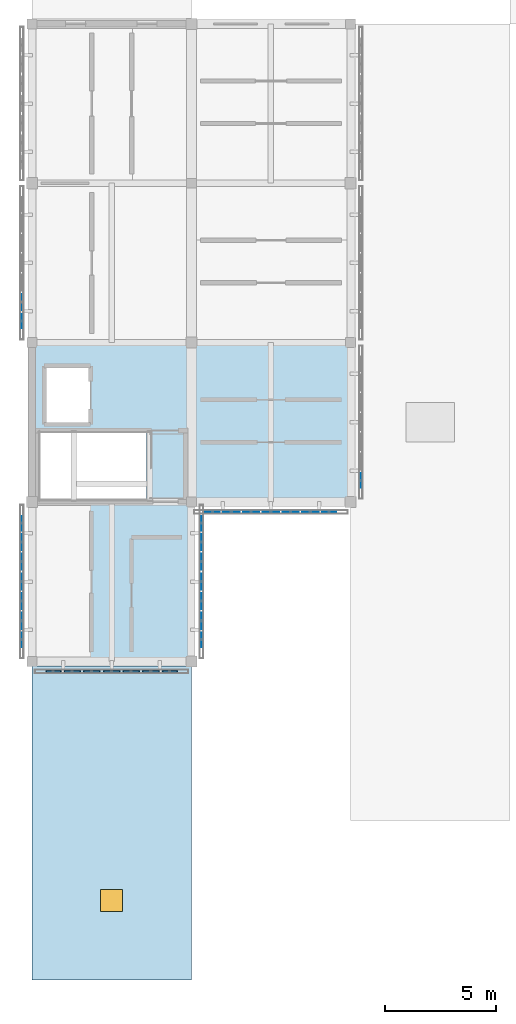
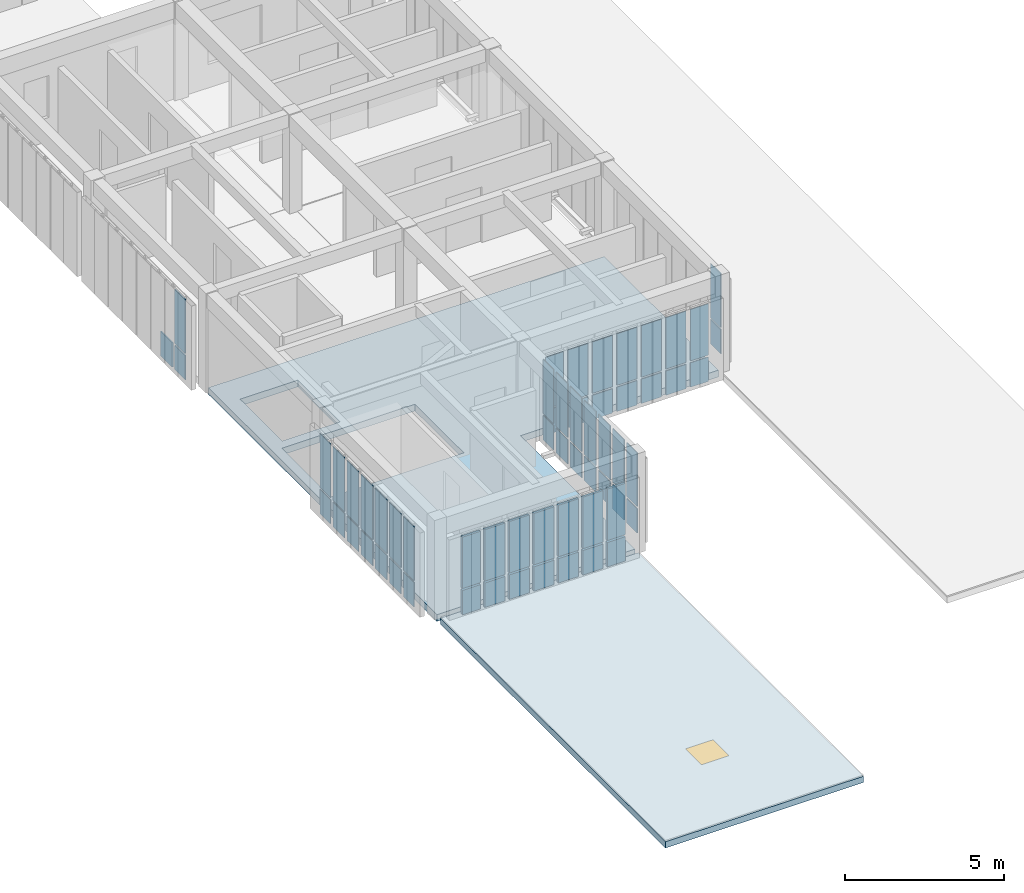
# One storey, part 35 of 67: 61 plates, 2 slabs, 1 door, 1 opening, 6 elements without a shape of their own.
"""IFC4 building model written with IfcOpenShell, lengths in metres."""

from ifc_helpers import new_model, si_unit, direction, frame, origin, origin_2d, place, context, subcontext, project, spatial, polyline, rectangle, outline, extrude, material, layer, layer_set, type_object, element, fill, aggregate, save


model = new_model("IFC4")

# Units and contexts
model_context = context("Model", 3, precision=1e-05, world=origin(), true_north=direction((0.0, 1.0)))
body_context = subcontext(model_context, "Body", "Model", "MODEL_VIEW")
ifc_project = project(units=[si_unit("LENGTHUNIT", "METRE"), si_unit("AREAUNIT", "SQUARE_METRE"), si_unit("VOLUMEUNIT", "CUBIC_METRE"), si_unit("PLANEANGLEUNIT", "RADIAN"), si_unit("MASSUNIT", "GRAM", prefix="KILO")], contexts=[model_context])

# Site, building, storey
site_placement = place(None, origin())
site = spatial("IfcSite", under=ifc_project, at=site_placement, CompositionType="ELEMENT")
building_placement = place(site_placement, origin())
building = spatial("IfcBuilding", under=site, at=building_placement, Name="Aldebral Square Health Centre", CompositionType="ELEMENT")
storey_placement = place(building_placement, frame((0.0, 0.0, 13.5)))
storey = spatial("IfcBuildingStorey", under=building, at=storey_placement, Name="L03", CompositionType="ELEMENT", Elevation=13.5)

# Curtain wall, plates
ifc_material_1 = material(Name="Aluminium and low-E solar glass", Category="aluminium")
curtain_wall_type = type_object("IfcCurtainWallType", Name="CW-FIN-SYS", PredefinedType="USERDEFINED", material=ifc_material_1)
curtain_wall_1_placement = place(storey_placement, origin())
curtain_wall_1 = element("IfcCurtainWall", 1, at=curtain_wall_1_placement, inside=storey, type_object=curtain_wall_type, Name="L03 V6 finned curtain wall L03-V6-00-03-W", ObjectType="SOLAR_CURTAIN_WALL", PredefinedType="USERDEFINED")
ifc_material_2 = material(Name="Solar-control low-E double glass", Category="glass")
ifc_layer_1 = layer(ifc_material_2, 0.02001953125, Name="Solar-control low-E double glass", Category="glass")
ifc_layer_set_1 = layer_set([ifc_layer_1], Name="Solar-control low-E double glass")
plate_type_1 = type_object("IfcPlateType", Name="CWP-GLZ-1", PredefinedType="CURTAIN_PANEL", material=ifc_layer_set_1)
plate_1_placement = place(storey_placement, frame((-0.4599609375, 27.834228515625, 0.074951171875), z_axis=(0.0, 0.0, 1.0), x_axis=(0.0, -1.0, 0.0)))
plate_1 = element("IfcPlate", 2, at=plate_1_placement, type_object=plate_type_1, Name="CW1 panel 1.1", PredefinedType="CURTAIN_PANEL", context=body_context, shape_type="SweptSolid", body=[
    extrude(rectangle(XDim=0.6513671875, YDim=0.02001953125, at=origin_2d()), origin(), (0.0, 0.0, 1.0), 0.9375),
])
plate_2_placement = place(storey_placement, frame((-0.4599609375, 27.834228515625, 1.08740234375), z_axis=(0.0, 0.0, 1.0), x_axis=(0.0, -1.0, 0.0)))
plate_2 = element("IfcPlate", 3, at=plate_2_placement, type_object=plate_type_1, Name="CW1 panel 1.2", PredefinedType="CURTAIN_PANEL", context=body_context, shape_type="SweptSolid", body=[
    extrude(rectangle(XDim=0.6513671875, YDim=0.02001953125, at=origin_2d()), origin(), (0.0, 0.0, 1.0), 2.077392578125),
])
plate_3_placement = place(storey_placement, frame((-0.4599609375, 26.98291015625, 0.074951171875), z_axis=(0.0, 0.0, 1.0), x_axis=(0.0, -1.0, 0.0)))
plate_3 = element("IfcPlate", 4, at=plate_3_placement, type_object=plate_type_1, Name="CW1 panel 2.1", PredefinedType="CURTAIN_PANEL", context=body_context, shape_type="SweptSolid", body=[
    extrude(rectangle(XDim=0.7314453125, YDim=0.02001953125, at=origin_2d()), origin(), (0.0, 0.0, 1.0), 0.9375),
])
plate_4_placement = place(storey_placement, frame((-0.4599609375, 26.98291015625, 1.08740234375), z_axis=(0.0, 0.0, 1.0), x_axis=(0.0, -1.0, 0.0)))
plate_4 = element("IfcPlate", 5, at=plate_4_placement, type_object=plate_type_1, Name="CW1 panel 2.2", PredefinedType="CURTAIN_PANEL", context=body_context, shape_type="SweptSolid", body=[
    extrude(rectangle(XDim=0.7314453125, YDim=0.02001953125, at=origin_2d()), origin(), (0.0, 0.0, 1.0), 2.077392578125),
])
plate_5_placement = place(storey_placement, frame((-0.4599609375, 26.09130859375, 0.074951171875), z_axis=(0.0, 0.0, 1.0), x_axis=(0.0, -1.0, 0.0)))
plate_5 = element("IfcPlate", 6, at=plate_5_placement, type_object=plate_type_1, Name="CW1 panel 3.1", PredefinedType="CURTAIN_PANEL", context=body_context, shape_type="SweptSolid", body=[
    extrude(rectangle(XDim=0.7314453125, YDim=0.02001953125, at=origin_2d()), origin(), (0.0, 0.0, 1.0), 0.9375),
])
plate_6_placement = place(storey_placement, frame((-0.4599609375, 26.09130859375, 1.08740234375), z_axis=(0.0, 0.0, 1.0), x_axis=(0.0, -1.0, 0.0)))
plate_6 = element("IfcPlate", 7, at=plate_6_placement, type_object=plate_type_1, Name="CW1 panel 3.2", PredefinedType="CURTAIN_PANEL", context=body_context, shape_type="SweptSolid", body=[
    extrude(rectangle(XDim=0.7314453125, YDim=0.02001953125, at=origin_2d()), origin(), (0.0, 0.0, 1.0), 2.077392578125),
])
plate_7_placement = place(storey_placement, frame((-0.4599609375, 25.199951171875, 0.074951171875), z_axis=(0.0, 0.0, 1.0), x_axis=(0.0, -1.0, 0.0)))
plate_7 = element("IfcPlate", 8, at=plate_7_placement, type_object=plate_type_1, Name="CW1 panel 4.1", PredefinedType="CURTAIN_PANEL", context=body_context, shape_type="SweptSolid", body=[
    extrude(rectangle(XDim=0.7314453125, YDim=0.02001953125, at=origin_2d()), origin(), (0.0, 0.0, 1.0), 0.9375),
])
plate_8_placement = place(storey_placement, frame((-0.4599609375, 25.199951171875, 1.08740234375), z_axis=(0.0, 0.0, 1.0), x_axis=(0.0, -1.0, 0.0)))
plate_8 = element("IfcPlate", 9, at=plate_8_placement, type_object=plate_type_1, Name="CW1 panel 4.2", PredefinedType="CURTAIN_PANEL", context=body_context, shape_type="SweptSolid", body=[
    extrude(rectangle(XDim=0.7314453125, YDim=0.02001953125, at=origin_2d()), origin(), (0.0, 0.0, 1.0), 2.077392578125),
])
plate_9_placement = place(storey_placement, frame((-0.4599609375, 24.30859375, 0.074951171875), z_axis=(0.0, 0.0, 1.0), x_axis=(0.0, -1.0, 0.0)))
plate_9 = element("IfcPlate", 10, at=plate_9_placement, type_object=plate_type_1, Name="CW1 panel 5.1", PredefinedType="CURTAIN_PANEL", context=body_context, shape_type="SweptSolid", body=[
    extrude(rectangle(XDim=0.7314453125, YDim=0.02001953125, at=origin_2d()), origin(), (0.0, 0.0, 1.0), 0.9375),
])
plate_10_placement = place(storey_placement, frame((-0.4599609375, 24.30859375, 1.08740234375), z_axis=(0.0, 0.0, 1.0), x_axis=(0.0, -1.0, 0.0)))
plate_10 = element("IfcPlate", 11, at=plate_10_placement, type_object=plate_type_1, Name="CW1 panel 5.2", PredefinedType="CURTAIN_PANEL", context=body_context, shape_type="SweptSolid", body=[
    extrude(rectangle(XDim=0.7314453125, YDim=0.02001953125, at=origin_2d()), origin(), (0.0, 0.0, 1.0), 2.077392578125),
])
plate_11_placement = place(storey_placement, frame((-0.4599609375, 23.417236328125, 0.074951171875), z_axis=(0.0, 0.0, 1.0), x_axis=(0.0, -1.0, 0.0)))
plate_11 = element("IfcPlate", 12, at=plate_11_placement, type_object=plate_type_1, Name="CW1 panel 6.1", PredefinedType="CURTAIN_PANEL", context=body_context, shape_type="SweptSolid", body=[
    extrude(rectangle(XDim=0.7314453125, YDim=0.02001953125, at=origin_2d()), origin(), (0.0, 0.0, 1.0), 0.9375),
])
plate_12_placement = place(storey_placement, frame((-0.4599609375, 23.417236328125, 1.08740234375), z_axis=(0.0, 0.0, 1.0), x_axis=(0.0, -1.0, 0.0)))
plate_12 = element("IfcPlate", 13, at=plate_12_placement, type_object=plate_type_1, Name="CW1 panel 6.2", PredefinedType="CURTAIN_PANEL", context=body_context, shape_type="SweptSolid", body=[
    extrude(rectangle(XDim=0.7314453125, YDim=0.02001953125, at=origin_2d()), origin(), (0.0, 0.0, 1.0), 2.077392578125),
])
plate_13_placement = place(storey_placement, frame((-0.4599609375, 22.565673828125, 0.074951171875), z_axis=(0.0, 0.0, 1.0), x_axis=(0.0, -1.0, 0.0)))
plate_13 = element("IfcPlate", 14, at=plate_13_placement, type_object=plate_type_1, Name="CW1 panel 7.1", PredefinedType="CURTAIN_PANEL", context=body_context, shape_type="SweptSolid", body=[
    extrude(rectangle(XDim=0.6513671875, YDim=0.02001953125, at=origin_2d()), origin(), (0.0, 0.0, 1.0), 0.9375),
])
plate_14_placement = place(storey_placement, frame((-0.4599609375, 22.565673828125, 1.08740234375), z_axis=(0.0, 0.0, 1.0), x_axis=(0.0, -1.0, 0.0)))
plate_14 = element("IfcPlate", 15, at=plate_14_placement, type_object=plate_type_1, Name="CW1 panel 7.2", PredefinedType="CURTAIN_PANEL", context=body_context, shape_type="SweptSolid", body=[
    extrude(rectangle(XDim=0.6513671875, YDim=0.02001953125, at=origin_2d()), origin(), (0.0, 0.0, 1.0), 2.077392578125),
])
aggregate(curtain_wall_1, [plate_1, plate_2, plate_3, plate_4, plate_5, plate_6, plate_7, plate_8, plate_9, plate_10, plate_11, plate_12, plate_13, plate_14])

curtain_wall_2_placement = place(storey_placement, origin())
curtain_wall_2 = element("IfcCurtainWall", 16, at=curtain_wall_2_placement, inside=storey, type_object=curtain_wall_type, Name="L03 V6 finned curtain wall L03-V6-01-04-S", ObjectType="SOLAR_CURTAIN_WALL", PredefinedType="USERDEFINED")
plate_15_placement = place(storey_placement, frame((8.165771484375, 28.340087890625, 0.074951171875), z_axis=(0.0, 0.0, 1.0), x_axis=(1.0, 0.0, 0.0)))
plate_15 = element("IfcPlate", 17, at=plate_15_placement, type_object=plate_type_1, Name="CW1 panel 1.1", PredefinedType="CURTAIN_PANEL", context=body_context, shape_type="SweptSolid", body=[
    extrude(rectangle(XDim=0.6513671875, YDim=0.02001953125, at=origin_2d()), origin(), (0.0, 0.0, 1.0), 0.9375),
])
plate_16_placement = place(storey_placement, frame((8.165771484375, 28.340087890625, 1.08740234375), z_axis=(0.0, 0.0, 1.0), x_axis=(1.0, 0.0, 0.0)))
plate_16 = element("IfcPlate", 18, at=plate_16_placement, type_object=plate_type_1, Name="CW1 panel 1.2", PredefinedType="CURTAIN_PANEL", context=body_context, shape_type="SweptSolid", body=[
    extrude(rectangle(XDim=0.6513671875, YDim=0.02001953125, at=origin_2d()), origin(), (0.0, 0.0, 1.0), 1.9775390625),
])
plate_17_placement = place(storey_placement, frame((9.01708984375, 28.340087890625, 0.074951171875), z_axis=(0.0, 0.0, 1.0), x_axis=(1.0, 0.0, 0.0)))
plate_17 = element("IfcPlate", 19, at=plate_17_placement, type_object=plate_type_1, Name="CW1 panel 2.1", PredefinedType="CURTAIN_PANEL", context=body_context, shape_type="SweptSolid", body=[
    extrude(rectangle(XDim=0.7314453125, YDim=0.02001953125, at=origin_2d()), origin(), (0.0, 0.0, 1.0), 0.9375),
])
plate_18_placement = place(storey_placement, frame((9.01708984375, 28.340087890625, 1.08740234375), z_axis=(0.0, 0.0, 1.0), x_axis=(1.0, 0.0, 0.0)))
plate_18 = element("IfcPlate", 20, at=plate_18_placement, type_object=plate_type_1, Name="CW1 panel 2.2", PredefinedType="CURTAIN_PANEL", context=body_context, shape_type="SweptSolid", body=[
    extrude(rectangle(XDim=0.7314453125, YDim=0.02001953125, at=origin_2d()), origin(), (0.0, 0.0, 1.0), 1.9775390625),
])
plate_19_placement = place(storey_placement, frame((9.90869140625, 28.340087890625, 0.074951171875), z_axis=(0.0, 0.0, 1.0), x_axis=(1.0, 0.0, 0.0)))
plate_19 = element("IfcPlate", 21, at=plate_19_placement, type_object=plate_type_1, Name="CW1 panel 3.1", PredefinedType="CURTAIN_PANEL", context=body_context, shape_type="SweptSolid", body=[
    extrude(rectangle(XDim=0.7314453125, YDim=0.02001953125, at=origin_2d()), origin(), (0.0, 0.0, 1.0), 0.9375),
])
plate_20_placement = place(storey_placement, frame((9.90869140625, 28.340087890625, 1.08740234375), z_axis=(0.0, 0.0, 1.0), x_axis=(1.0, 0.0, 0.0)))
plate_20 = element("IfcPlate", 22, at=plate_20_placement, type_object=plate_type_1, Name="CW1 panel 3.2", PredefinedType="CURTAIN_PANEL", context=body_context, shape_type="SweptSolid", body=[
    extrude(rectangle(XDim=0.7314453125, YDim=0.02001953125, at=origin_2d()), origin(), (0.0, 0.0, 1.0), 1.9775390625),
])
plate_21_placement = place(storey_placement, frame((10.800048828125, 28.340087890625, 0.074951171875), z_axis=(0.0, 0.0, 1.0), x_axis=(1.0, 0.0, 0.0)))
plate_21 = element("IfcPlate", 23, at=plate_21_placement, type_object=plate_type_1, Name="CW1 panel 4.1", PredefinedType="CURTAIN_PANEL", context=body_context, shape_type="SweptSolid", body=[
    extrude(rectangle(XDim=0.7314453125, YDim=0.02001953125, at=origin_2d()), origin(), (0.0, 0.0, 1.0), 0.9375),
])
plate_22_placement = place(storey_placement, frame((10.800048828125, 28.340087890625, 1.08740234375), z_axis=(0.0, 0.0, 1.0), x_axis=(1.0, 0.0, 0.0)))
plate_22 = element("IfcPlate", 24, at=plate_22_placement, type_object=plate_type_1, Name="CW1 panel 4.2", PredefinedType="CURTAIN_PANEL", context=body_context, shape_type="SweptSolid", body=[
    extrude(rectangle(XDim=0.7314453125, YDim=0.02001953125, at=origin_2d()), origin(), (0.0, 0.0, 1.0), 1.9775390625),
])
plate_23_placement = place(storey_placement, frame((11.69140625, 28.340087890625, 0.074951171875), z_axis=(0.0, 0.0, 1.0), x_axis=(1.0, 0.0, 0.0)))
plate_23 = element("IfcPlate", 25, at=plate_23_placement, type_object=plate_type_1, Name="CW1 panel 5.1", PredefinedType="CURTAIN_PANEL", context=body_context, shape_type="SweptSolid", body=[
    extrude(rectangle(XDim=0.7314453125, YDim=0.02001953125, at=origin_2d()), origin(), (0.0, 0.0, 1.0), 0.9375),
])
plate_24_placement = place(storey_placement, frame((11.69140625, 28.340087890625, 1.08740234375), z_axis=(0.0, 0.0, 1.0), x_axis=(1.0, 0.0, 0.0)))
plate_24 = element("IfcPlate", 26, at=plate_24_placement, type_object=plate_type_1, Name="CW1 panel 5.2", PredefinedType="CURTAIN_PANEL", context=body_context, shape_type="SweptSolid", body=[
    extrude(rectangle(XDim=0.7314453125, YDim=0.02001953125, at=origin_2d()), origin(), (0.0, 0.0, 1.0), 1.9775390625),
])
plate_25_placement = place(storey_placement, frame((12.582763671875, 28.340087890625, 0.074951171875), z_axis=(0.0, 0.0, 1.0), x_axis=(1.0, 0.0, 0.0)))
plate_25 = element("IfcPlate", 27, at=plate_25_placement, type_object=plate_type_1, Name="CW1 panel 6.1", PredefinedType="CURTAIN_PANEL", context=body_context, shape_type="SweptSolid", body=[
    extrude(rectangle(XDim=0.7314453125, YDim=0.02001953125, at=origin_2d()), origin(), (0.0, 0.0, 1.0), 0.9375),
])
plate_26_placement = place(storey_placement, frame((12.582763671875, 28.340087890625, 1.08740234375), z_axis=(0.0, 0.0, 1.0), x_axis=(1.0, 0.0, 0.0)))
plate_26 = element("IfcPlate", 28, at=plate_26_placement, type_object=plate_type_1, Name="CW1 panel 6.2", PredefinedType="CURTAIN_PANEL", context=body_context, shape_type="SweptSolid", body=[
    extrude(rectangle(XDim=0.7314453125, YDim=0.02001953125, at=origin_2d()), origin(), (0.0, 0.0, 1.0), 1.9775390625),
])
plate_27_placement = place(storey_placement, frame((13.434326171875, 28.340087890625, 0.074951171875), z_axis=(0.0, 0.0, 1.0), x_axis=(1.0, 0.0, 0.0)))
plate_27 = element("IfcPlate", 29, at=plate_27_placement, type_object=plate_type_1, Name="CW1 panel 7.1", PredefinedType="CURTAIN_PANEL", context=body_context, shape_type="SweptSolid", body=[
    extrude(rectangle(XDim=0.6513671875, YDim=0.02001953125, at=origin_2d()), origin(), (0.0, 0.0, 1.0), 0.9375),
])
plate_28_placement = place(storey_placement, frame((13.434326171875, 28.340087890625, 1.08740234375), z_axis=(0.0, 0.0, 1.0), x_axis=(1.0, 0.0, 0.0)))
plate_28 = element("IfcPlate", 30, at=plate_28_placement, type_object=plate_type_1, Name="CW1 panel 7.2", PredefinedType="CURTAIN_PANEL", context=body_context, shape_type="SweptSolid", body=[
    extrude(rectangle(XDim=0.6513671875, YDim=0.02001953125, at=origin_2d()), origin(), (0.0, 0.0, 1.0), 1.9775390625),
])
aggregate(curtain_wall_2, [plate_15, plate_16, plate_17, plate_18, plate_19, plate_20, plate_21, plate_22, plate_23, plate_24, plate_25, plate_26, plate_27, plate_28])

curtain_wall_3_placement = place(storey_placement, origin())
curtain_wall_3 = element("IfcCurtainWall", 31, at=curtain_wall_3_placement, inside=storey, type_object=curtain_wall_type, Name="L03 V6 finned curtain wall L03-V6-00-03-E", ObjectType="SOLAR_CURTAIN_WALL", PredefinedType="USERDEFINED")
ifc_layer_2 = layer(ifc_material_2, 0.030029296875, Name="Solar-control low-E double glass", Category="glass")
ifc_layer_set_2 = layer_set([ifc_layer_2], Name="Solar-control low-E double glass")
plate_type_2 = type_object("IfcPlateType", Name="CWP-GLZ-2", PredefinedType="CURTAIN_PANEL", material=ifc_layer_set_2)
plate_29_placement = place(storey_placement, frame((7.659912109375, 22.565673828125, 0.074951171875), z_axis=(0.0, 0.0, 1.0), x_axis=(0.0, 1.0, 0.0)))
plate_29 = element("IfcPlate", 32, at=plate_29_placement, type_object=plate_type_2, Name="CW1 panel 1.1", PredefinedType="CURTAIN_PANEL", context=body_context, shape_type="SweptSolid", body=[
    extrude(rectangle(XDim=0.6513671875, YDim=0.030029296875, at=origin_2d()), origin(), (0.0, 0.0, 1.0), 0.9375),
])
plate_30_placement = place(storey_placement, frame((7.659912109375, 22.565673828125, 1.08740234375), z_axis=(0.0, 0.0, 1.0), x_axis=(0.0, 1.0, 0.0)))
plate_30 = element("IfcPlate", 33, at=plate_30_placement, type_object=plate_type_2, Name="CW1 panel 1.2", PredefinedType="CURTAIN_PANEL", context=body_context, shape_type="SweptSolid", body=[
    extrude(rectangle(XDim=0.6513671875, YDim=0.030029296875, at=origin_2d()), origin(), (0.0, 0.0, 1.0), 2.077392578125),
])
plate_31_placement = place(storey_placement, frame((7.659912109375, 23.417236328125, 0.074951171875), z_axis=(0.0, 0.0, 1.0), x_axis=(0.0, 1.0, 0.0)))
plate_31 = element("IfcPlate", 34, at=plate_31_placement, type_object=plate_type_2, Name="CW1 panel 2.1", PredefinedType="CURTAIN_PANEL", context=body_context, shape_type="SweptSolid", body=[
    extrude(rectangle(XDim=0.7314453125, YDim=0.030029296875, at=origin_2d()), origin(), (0.0, 0.0, 1.0), 0.9375),
])
plate_32_placement = place(storey_placement, frame((7.659912109375, 23.417236328125, 1.08740234375), z_axis=(0.0, 0.0, 1.0), x_axis=(0.0, 1.0, 0.0)))
plate_32 = element("IfcPlate", 35, at=plate_32_placement, type_object=plate_type_2, Name="CW1 panel 2.2", PredefinedType="CURTAIN_PANEL", context=body_context, shape_type="SweptSolid", body=[
    extrude(rectangle(XDim=0.7314453125, YDim=0.030029296875, at=origin_2d()), origin(), (0.0, 0.0, 1.0), 2.077392578125),
])
plate_33_placement = place(storey_placement, frame((7.659912109375, 24.30859375, 0.074951171875), z_axis=(0.0, 0.0, 1.0), x_axis=(0.0, 1.0, 0.0)))
plate_33 = element("IfcPlate", 36, at=plate_33_placement, type_object=plate_type_2, Name="CW1 panel 3.1", PredefinedType="CURTAIN_PANEL", context=body_context, shape_type="SweptSolid", body=[
    extrude(rectangle(XDim=0.7314453125, YDim=0.030029296875, at=origin_2d()), origin(), (0.0, 0.0, 1.0), 0.9375),
])
plate_34_placement = place(storey_placement, frame((7.659912109375, 24.30859375, 1.08740234375), z_axis=(0.0, 0.0, 1.0), x_axis=(0.0, 1.0, 0.0)))
plate_34 = element("IfcPlate", 37, at=plate_34_placement, type_object=plate_type_2, Name="CW1 panel 3.2", PredefinedType="CURTAIN_PANEL", context=body_context, shape_type="SweptSolid", body=[
    extrude(rectangle(XDim=0.7314453125, YDim=0.030029296875, at=origin_2d()), origin(), (0.0, 0.0, 1.0), 2.077392578125),
])
plate_35_placement = place(storey_placement, frame((7.659912109375, 25.199951171875, 0.074951171875), z_axis=(0.0, 0.0, 1.0), x_axis=(0.0, 1.0, 0.0)))
plate_35 = element("IfcPlate", 38, at=plate_35_placement, type_object=plate_type_2, Name="CW1 panel 4.1", PredefinedType="CURTAIN_PANEL", context=body_context, shape_type="SweptSolid", body=[
    extrude(rectangle(XDim=0.7314453125, YDim=0.030029296875, at=origin_2d()), origin(), (0.0, 0.0, 1.0), 0.9375),
])
plate_36_placement = place(storey_placement, frame((7.659912109375, 25.199951171875, 1.08740234375), z_axis=(0.0, 0.0, 1.0), x_axis=(0.0, 1.0, 0.0)))
plate_36 = element("IfcPlate", 39, at=plate_36_placement, type_object=plate_type_2, Name="CW1 panel 4.2", PredefinedType="CURTAIN_PANEL", context=body_context, shape_type="SweptSolid", body=[
    extrude(rectangle(XDim=0.7314453125, YDim=0.030029296875, at=origin_2d()), origin(), (0.0, 0.0, 1.0), 2.077392578125),
])
plate_37_placement = place(storey_placement, frame((7.659912109375, 26.09130859375, 0.074951171875), z_axis=(0.0, 0.0, 1.0), x_axis=(0.0, 1.0, 0.0)))
plate_37 = element("IfcPlate", 40, at=plate_37_placement, type_object=plate_type_2, Name="CW1 panel 5.1", PredefinedType="CURTAIN_PANEL", context=body_context, shape_type="SweptSolid", body=[
    extrude(rectangle(XDim=0.7314453125, YDim=0.030029296875, at=origin_2d()), origin(), (0.0, 0.0, 1.0), 0.9375),
])
plate_38_placement = place(storey_placement, frame((7.659912109375, 26.09130859375, 1.08740234375), z_axis=(0.0, 0.0, 1.0), x_axis=(0.0, 1.0, 0.0)))
plate_38 = element("IfcPlate", 41, at=plate_38_placement, type_object=plate_type_2, Name="CW1 panel 5.2", PredefinedType="CURTAIN_PANEL", context=body_context, shape_type="SweptSolid", body=[
    extrude(rectangle(XDim=0.7314453125, YDim=0.030029296875, at=origin_2d()), origin(), (0.0, 0.0, 1.0), 2.077392578125),
])
plate_39_placement = place(storey_placement, frame((7.659912109375, 26.98291015625, 0.074951171875), z_axis=(0.0, 0.0, 1.0), x_axis=(0.0, 1.0, 0.0)))
plate_39 = element("IfcPlate", 42, at=plate_39_placement, type_object=plate_type_2, Name="CW1 panel 6.1", PredefinedType="CURTAIN_PANEL", context=body_context, shape_type="SweptSolid", body=[
    extrude(rectangle(XDim=0.7314453125, YDim=0.030029296875, at=origin_2d()), origin(), (0.0, 0.0, 1.0), 0.9375),
])
plate_40_placement = place(storey_placement, frame((7.659912109375, 26.98291015625, 1.08740234375), z_axis=(0.0, 0.0, 1.0), x_axis=(0.0, 1.0, 0.0)))
plate_40 = element("IfcPlate", 43, at=plate_40_placement, type_object=plate_type_2, Name="CW1 panel 6.2", PredefinedType="CURTAIN_PANEL", context=body_context, shape_type="SweptSolid", body=[
    extrude(rectangle(XDim=0.7314453125, YDim=0.030029296875, at=origin_2d()), origin(), (0.0, 0.0, 1.0), 2.077392578125),
])
plate_41_placement = place(storey_placement, frame((7.659912109375, 27.834228515625, 0.074951171875), z_axis=(0.0, 0.0, 1.0), x_axis=(0.0, 1.0, 0.0)))
plate_41 = element("IfcPlate", 44, at=plate_41_placement, type_object=plate_type_2, Name="CW1 panel 7.1", PredefinedType="CURTAIN_PANEL", context=body_context, shape_type="SweptSolid", body=[
    extrude(rectangle(XDim=0.6513671875, YDim=0.030029296875, at=origin_2d()), origin(), (0.0, 0.0, 1.0), 0.9375),
])
plate_42_placement = place(storey_placement, frame((7.659912109375, 27.834228515625, 1.08740234375), z_axis=(0.0, 0.0, 1.0), x_axis=(0.0, 1.0, 0.0)))
plate_42 = element("IfcPlate", 45, at=plate_42_placement, type_object=plate_type_2, Name="CW1 panel 7.2", PredefinedType="CURTAIN_PANEL", context=body_context, shape_type="SweptSolid", body=[
    extrude(rectangle(XDim=0.6513671875, YDim=0.030029296875, at=origin_2d()), origin(), (0.0, 0.0, 1.0), 2.077392578125),
])
aggregate(curtain_wall_3, [plate_29, plate_30, plate_31, plate_32, plate_33, plate_34, plate_35, plate_36, plate_37, plate_38, plate_39, plate_40, plate_41, plate_42])

curtain_wall_4_placement = place(storey_placement, origin())
curtain_wall_4 = element("IfcCurtainWall", 46, at=curtain_wall_4_placement, inside=storey, type_object=curtain_wall_type, Name="L03 V6 finned curtain wall L03-V6-01-04-E", ObjectType="SOLAR_CURTAIN_WALL", PredefinedType="USERDEFINED")
plate_43_placement = place(storey_placement, frame((14.860107421875, 29.765625, 0.074951171875), z_axis=(0.0, 0.0, 1.0), x_axis=(0.0, 1.0, 0.0)))
plate_43 = element("IfcPlate", 47, at=plate_43_placement, type_object=plate_type_2, Name="CW1 panel 1.1", PredefinedType="CURTAIN_PANEL", context=body_context, shape_type="SweptSolid", body=[
    extrude(rectangle(XDim=0.6513671875, YDim=0.030029296875, at=origin_2d()), origin(), (0.0, 0.0, 1.0), 0.9375),
])
plate_44_placement = place(storey_placement, frame((14.860107421875, 29.765625, 1.08740234375), z_axis=(0.0, 0.0, 1.0), x_axis=(0.0, 1.0, 0.0)))
plate_44 = element("IfcPlate", 48, at=plate_44_placement, type_object=plate_type_2, Name="CW1 panel 1.2", PredefinedType="CURTAIN_PANEL", context=body_context, shape_type="SweptSolid", body=[
    extrude(rectangle(XDim=0.6513671875, YDim=0.030029296875, at=origin_2d()), origin(), (0.0, 0.0, 1.0), 2.077392578125),
])
aggregate(curtain_wall_4, [plate_43, plate_44])

curtain_wall_5_placement = place(storey_placement, origin())
curtain_wall_5 = element("IfcCurtainWall", 49, at=curtain_wall_5_placement, inside=storey, type_object=curtain_wall_type, Name="L03 V6 finned curtain wall L03-V6-00-05-W", ObjectType="SOLAR_CURTAIN_WALL", PredefinedType="USERDEFINED")
ifc_layer_3 = layer(ifc_material_2, 0.0400390625, Name="Solar-control low-E double glass", Category="glass")
ifc_layer_set_3 = layer_set([ifc_layer_3], Name="Solar-control low-E double glass")
plate_type_3 = type_object("IfcPlateType", Name="CWP-GLZ-3", PredefinedType="CURTAIN_PANEL", material=ifc_layer_set_3)
plate_45_placement = place(storey_placement, frame((-0.4599609375, 37.817138671875, 0.074951171875), z_axis=(0.0, 0.0, 1.0), x_axis=(0.0, -1.0, 0.0)))
plate_45 = element("IfcPlate", 50, at=plate_45_placement, type_object=plate_type_3, Name="CW1 panel 6.1", PredefinedType="CURTAIN_PANEL", context=body_context, shape_type="SweptSolid", body=[
    extrude(rectangle(XDim=0.7314453125, YDim=0.0400390625, at=origin_2d()), origin(), (0.0, 0.0, 1.0), 0.9375),
])
plate_46_placement = place(storey_placement, frame((-0.4599609375, 36.9658203125, 0.074951171875), z_axis=(0.0, 0.0, 1.0), x_axis=(0.0, -1.0, 0.0)))
plate_46 = element("IfcPlate", 51, at=plate_46_placement, type_object=plate_type_3, Name="CW1 panel 7.1", PredefinedType="CURTAIN_PANEL", context=body_context, shape_type="SweptSolid", body=[
    extrude(rectangle(XDim=0.6513671875, YDim=0.0400390625, at=origin_2d()), origin(), (0.0, 0.0, 1.0), 0.9375),
])
plate_47_placement = place(storey_placement, frame((-0.4599609375, 36.9658203125, 1.08740234375), z_axis=(0.0, 0.0, 1.0), x_axis=(0.0, -1.0, 0.0)))
plate_47 = element("IfcPlate", 52, at=plate_47_placement, type_object=plate_type_3, Name="CW1 panel 7.2", PredefinedType="CURTAIN_PANEL", context=body_context, shape_type="SweptSolid", body=[
    extrude(rectangle(XDim=0.6513671875, YDim=0.0400390625, at=origin_2d()), origin(), (0.0, 0.0, 1.0), 2.077392578125),
])
aggregate(curtain_wall_5, [plate_45, plate_46, plate_47])

curtain_wall_6_placement = place(storey_placement, origin())
curtain_wall_6 = element("IfcCurtainWall", 53, at=curtain_wall_6_placement, inside=storey, type_object=curtain_wall_type, Name="L03 V6 finned curtain wall L03-V6-00-03-S", ObjectType="SOLAR_CURTAIN_WALL", PredefinedType="USERDEFINED")
ifc_layer_4 = layer(ifc_material_2, 0.090087890625, Name="Solar-control low-E double glass", Category="glass")
ifc_layer_set_4 = layer_set([ifc_layer_4], Name="Solar-control low-E double glass")
plate_type_4 = type_object("IfcPlateType", Name="CWP-GLZ-8", PredefinedType="CURTAIN_PANEL", material=ifc_layer_set_4)
plate_48_placement = place(storey_placement, frame((0.9658203125, 21.139892578125, 0.074951171875), z_axis=(0.0, 0.0, 1.0), x_axis=(1.0, 0.0, 0.0)))
plate_48 = element("IfcPlate", 54, at=plate_48_placement, type_object=plate_type_4, Name="CW1 panel 1.1", PredefinedType="CURTAIN_PANEL", context=body_context, shape_type="SweptSolid", body=[
    extrude(rectangle(XDim=0.6513671875, YDim=0.090087890625, at=origin_2d()), origin(), (0.0, 0.0, 1.0), 0.9375),
])
plate_49_placement = place(storey_placement, frame((0.9658203125, 21.139892578125, 1.08740234375), z_axis=(0.0, 0.0, 1.0), x_axis=(1.0, 0.0, 0.0)))
plate_49 = element("IfcPlate", 55, at=plate_49_placement, type_object=plate_type_4, Name="CW1 panel 1.2", PredefinedType="CURTAIN_PANEL", context=body_context, shape_type="SweptSolid", body=[
    extrude(rectangle(XDim=0.6513671875, YDim=0.090087890625, at=origin_2d()), origin(), (0.0, 0.0, 1.0), 1.9775390625),
])
plate_50_placement = place(storey_placement, frame((1.817138671875, 21.139892578125, 0.074951171875), z_axis=(0.0, 0.0, 1.0), x_axis=(1.0, 0.0, 0.0)))
plate_50 = element("IfcPlate", 56, at=plate_50_placement, type_object=plate_type_4, Name="CW1 panel 2.1", PredefinedType="CURTAIN_PANEL", context=body_context, shape_type="SweptSolid", body=[
    extrude(rectangle(XDim=0.7314453125, YDim=0.090087890625, at=origin_2d()), origin(), (0.0, 0.0, 1.0), 0.9375),
])
plate_51_placement = place(storey_placement, frame((1.817138671875, 21.139892578125, 1.08740234375), z_axis=(0.0, 0.0, 1.0), x_axis=(1.0, 0.0, 0.0)))
plate_51 = element("IfcPlate", 57, at=plate_51_placement, type_object=plate_type_4, Name="CW1 panel 2.2", PredefinedType="CURTAIN_PANEL", context=body_context, shape_type="SweptSolid", body=[
    extrude(rectangle(XDim=0.7314453125, YDim=0.090087890625, at=origin_2d()), origin(), (0.0, 0.0, 1.0), 1.9775390625),
])
plate_52_placement = place(storey_placement, frame((2.70849609375, 21.139892578125, 0.074951171875), z_axis=(0.0, 0.0, 1.0), x_axis=(1.0, 0.0, 0.0)))
plate_52 = element("IfcPlate", 58, at=plate_52_placement, type_object=plate_type_4, Name="CW1 panel 3.1", PredefinedType="CURTAIN_PANEL", context=body_context, shape_type="SweptSolid", body=[
    extrude(rectangle(XDim=0.7314453125, YDim=0.090087890625, at=origin_2d()), origin(), (0.0, 0.0, 1.0), 0.9375),
])
plate_53_placement = place(storey_placement, frame((2.70849609375, 21.139892578125, 1.08740234375), z_axis=(0.0, 0.0, 1.0), x_axis=(1.0, 0.0, 0.0)))
plate_53 = element("IfcPlate", 59, at=plate_53_placement, type_object=plate_type_4, Name="CW1 panel 3.2", PredefinedType="CURTAIN_PANEL", context=body_context, shape_type="SweptSolid", body=[
    extrude(rectangle(XDim=0.7314453125, YDim=0.090087890625, at=origin_2d()), origin(), (0.0, 0.0, 1.0), 1.9775390625),
])
plate_54_placement = place(storey_placement, frame((3.60009765625, 21.139892578125, 0.074951171875), z_axis=(0.0, 0.0, 1.0), x_axis=(1.0, 0.0, 0.0)))
plate_54 = element("IfcPlate", 60, at=plate_54_placement, type_object=plate_type_4, Name="CW1 panel 4.1", PredefinedType="CURTAIN_PANEL", context=body_context, shape_type="SweptSolid", body=[
    extrude(rectangle(XDim=0.7314453125, YDim=0.090087890625, at=origin_2d()), origin(), (0.0, 0.0, 1.0), 0.9375),
])
plate_55_placement = place(storey_placement, frame((3.60009765625, 21.139892578125, 1.08740234375), z_axis=(0.0, 0.0, 1.0), x_axis=(1.0, 0.0, 0.0)))
plate_55 = element("IfcPlate", 61, at=plate_55_placement, type_object=plate_type_4, Name="CW1 panel 4.2", PredefinedType="CURTAIN_PANEL", context=body_context, shape_type="SweptSolid", body=[
    extrude(rectangle(XDim=0.7314453125, YDim=0.090087890625, at=origin_2d()), origin(), (0.0, 0.0, 1.0), 1.9775390625),
])
plate_56_placement = place(storey_placement, frame((4.491455078125, 21.139892578125, 0.074951171875), z_axis=(0.0, 0.0, 1.0), x_axis=(1.0, 0.0, 0.0)))
plate_56 = element("IfcPlate", 62, at=plate_56_placement, type_object=plate_type_4, Name="CW1 panel 5.1", PredefinedType="CURTAIN_PANEL", context=body_context, shape_type="SweptSolid", body=[
    extrude(rectangle(XDim=0.7314453125, YDim=0.090087890625, at=origin_2d()), origin(), (0.0, 0.0, 1.0), 0.9375),
])
plate_57_placement = place(storey_placement, frame((4.491455078125, 21.139892578125, 1.08740234375), z_axis=(0.0, 0.0, 1.0), x_axis=(1.0, 0.0, 0.0)))
plate_57 = element("IfcPlate", 63, at=plate_57_placement, type_object=plate_type_4, Name="CW1 panel 5.2", PredefinedType="CURTAIN_PANEL", context=body_context, shape_type="SweptSolid", body=[
    extrude(rectangle(XDim=0.7314453125, YDim=0.090087890625, at=origin_2d()), origin(), (0.0, 0.0, 1.0), 1.9775390625),
])
plate_58_placement = place(storey_placement, frame((5.3828125, 21.139892578125, 0.074951171875), z_axis=(0.0, 0.0, 1.0), x_axis=(1.0, 0.0, 0.0)))
plate_58 = element("IfcPlate", 64, at=plate_58_placement, type_object=plate_type_4, Name="CW1 panel 6.1", PredefinedType="CURTAIN_PANEL", context=body_context, shape_type="SweptSolid", body=[
    extrude(rectangle(XDim=0.7314453125, YDim=0.090087890625, at=origin_2d()), origin(), (0.0, 0.0, 1.0), 0.9375),
])
plate_59_placement = place(storey_placement, frame((5.3828125, 21.139892578125, 1.08740234375), z_axis=(0.0, 0.0, 1.0), x_axis=(1.0, 0.0, 0.0)))
plate_59 = element("IfcPlate", 65, at=plate_59_placement, type_object=plate_type_4, Name="CW1 panel 6.2", PredefinedType="CURTAIN_PANEL", context=body_context, shape_type="SweptSolid", body=[
    extrude(rectangle(XDim=0.7314453125, YDim=0.090087890625, at=origin_2d()), origin(), (0.0, 0.0, 1.0), 1.9775390625),
])
plate_60_placement = place(storey_placement, frame((6.234375, 21.139892578125, 0.074951171875), z_axis=(0.0, 0.0, 1.0), x_axis=(1.0, 0.0, 0.0)))
plate_60 = element("IfcPlate", 66, at=plate_60_placement, type_object=plate_type_4, Name="CW1 panel 7.1", PredefinedType="CURTAIN_PANEL", context=body_context, shape_type="SweptSolid", body=[
    extrude(rectangle(XDim=0.6513671875, YDim=0.090087890625, at=origin_2d()), origin(), (0.0, 0.0, 1.0), 0.9375),
])
plate_61_placement = place(storey_placement, frame((6.234375, 21.139892578125, 1.08740234375), z_axis=(0.0, 0.0, 1.0), x_axis=(1.0, 0.0, 0.0)))
plate_61 = element("IfcPlate", 67, at=plate_61_placement, type_object=plate_type_4, Name="CW1 panel 7.2", PredefinedType="CURTAIN_PANEL", context=body_context, shape_type="SweptSolid", body=[
    extrude(rectangle(XDim=0.6513671875, YDim=0.090087890625, at=origin_2d()), origin(), (0.0, 0.0, 1.0), 1.9775390625),
])
aggregate(curtain_wall_6, [plate_48, plate_49, plate_50, plate_51, plate_52, plate_53, plate_54, plate_55, plate_56, plate_57, plate_58, plate_59, plate_60, plate_61])

# Slab
ifc_material_3 = material(Name="Concrete C35/45", Category="concrete")
ifc_layer_5 = layer(ifc_material_3, 0.260009765625, Name="Concrete C35/45", Category="concrete")
ifc_layer_set_5 = layer_set([ifc_layer_5], Name="Concrete C35/45")
slab_type_1 = type_object("IfcSlabType", Name="SL-FLR-260", PredefinedType="FLOOR", material=ifc_layer_set_5)
slab_1_placement = place(storey_placement, frame((0.0, 0.0, -0.260009765625)))
element("IfcSlab", 68, at=slab_1_placement, inside=storey, type_object=slab_type_1, Name="L03 V6 floor slab 1", PredefinedType="FLOOR", context=body_context, shape_type="SweptSolid", body=[
    extrude(outline(polyline([(0.0, 21.60009765625), (0.0, 28.800048828125), (0.0, 36.0), (7.199951171875, 36.0), (14.39990234375, 36.0), (14.39990234375, 28.800048828125), (7.199951171875, 28.800048828125), (7.199951171875, 21.60009765625), (0.0, 21.60009765625)]), holes=[polyline([(0.340087890625, 31.9599609375), (0.340087890625, 28.8798828125), (5.179931640625, 28.8798828125), (5.179931640625, 31.9599609375), (0.340087890625, 31.9599609375)]), polyline([(0.550048828125, 34.949951171875), (0.550048828125, 32.300048828125), (2.64990234375, 32.300048828125), (2.64990234375, 34.949951171875), (0.550048828125, 34.949951171875)])]), origin(), (0.0, 0.0, 1.0), 0.260009765625),
])

# Slab, opening, door
ifc_layer_6 = layer(ifc_material_3, 0.239990234375, Name="Concrete C35/45", Category="concrete")
ifc_layer_set_6 = layer_set([ifc_layer_6], Name="Concrete C35/45")
slab_type_2 = type_object("IfcSlabType", Name="SL-RF-240", PredefinedType="ROOF", material=ifc_layer_set_6)
slab_2_placement = place(storey_placement, frame((0.0, 0.0, -0.239990234375)))
slab_2 = element("IfcSlab", 69, at=slab_2_placement, inside=storey, type_object=slab_type_2, Name="L02 V6 roof slab 1", PredefinedType="ROOF", context=body_context, shape_type="SweptSolid", body=[
    extrude(outline(polyline([(0.0, 14.39990234375), (0.0, 21.3798828125), (7.199951171875, 21.3798828125), (7.199951171875, 14.39990234375), (7.199951171875, 7.199951171875), (0.0, 7.199951171875), (0.0, 14.39990234375)])), origin(), (0.0, 0.0, 1.0), 0.239990234375),
])
opening_placement = place(slab_2_placement, frame((3.60009765625, 10.800048828125, -0.010009765625)))
opening = element("IfcOpeningElement", 70, at=opening_placement, cuts=slab_2, Name="Opening D-0002", PredefinedType="OPENING", context=body_context, shape_type="SweptSolid", body=[
    extrude(rectangle(XDim=1.0, YDim=1.0, at=origin_2d()), origin(), (0.0, 0.0, 1.0), 0.260009765625),
])
ifc_material_4 = material(Name="Galvanised steel", Category="steel")
door_type = type_object("IfcDoorType", Name="DR-HAT-100", OperationType="SINGLE_SWING_LEFT", PredefinedType="TRAPDOOR", material=ifc_material_4)
door_placement = place(slab_2_placement, frame((3.60009765625, 10.800048828125, 0.18994140625)))
door = element("IfcDoor", 71, at=door_placement, inside=storey, type_object=door_type, Name="Roof maintenance hatch DH-03", OperationType="SINGLE_SWING_LEFT", OverallHeight=1.0, OverallWidth=1.0, PredefinedType="TRAPDOOR", context=body_context, shape_type="SweptSolid", body=[
    extrude(rectangle(XDim=1.0, YDim=1.0, at=origin_2d()), origin(), (0.0, 0.0, 1.0), 0.050048828125),
])
fill(opening, door)

save(model, "model.ifc")
